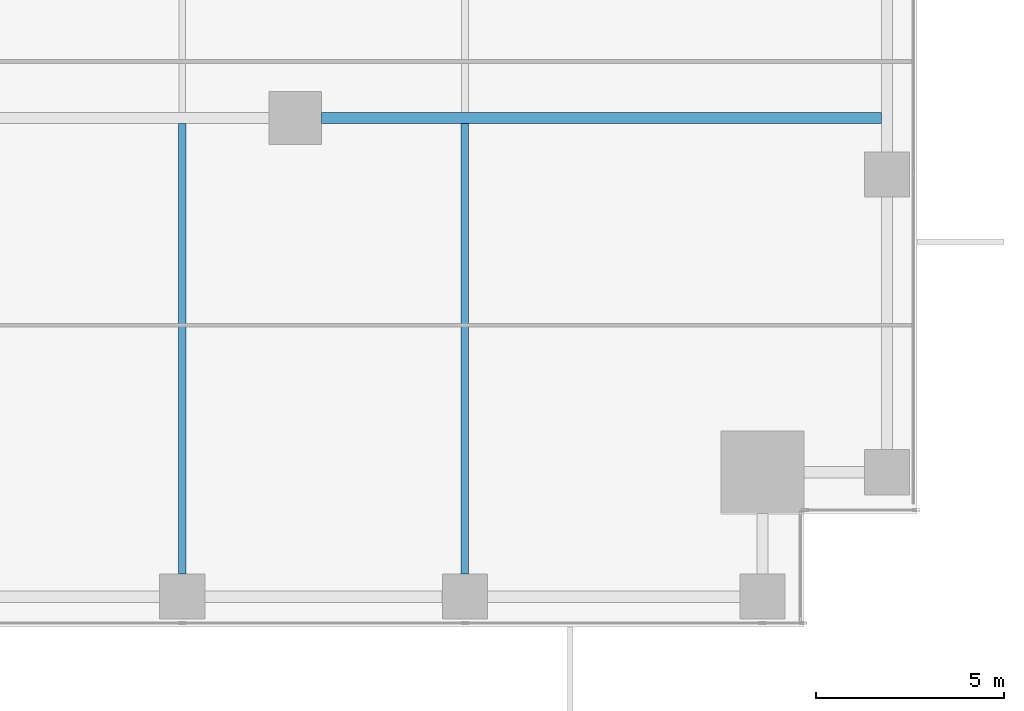
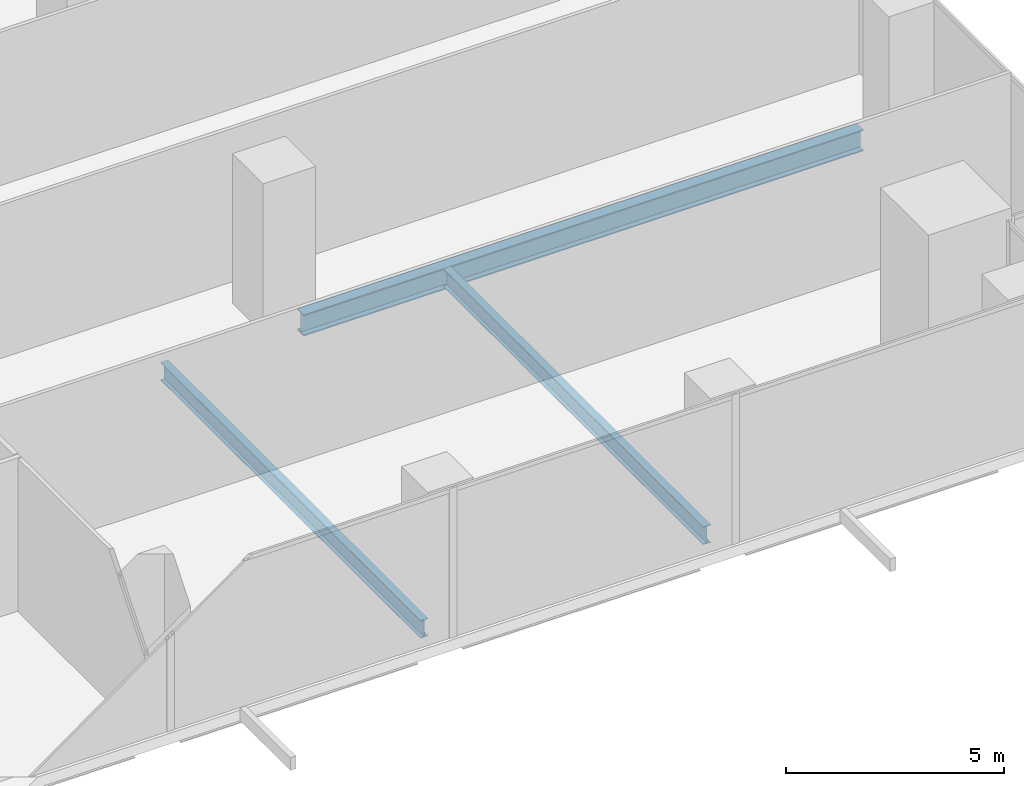
# One storey, part 8 of 32: 3 beams.
"""IFC4 building model written with IfcOpenShell, lengths in metres."""

from ifc_helpers import new_model, si_unit, direction, frame, origin, origin_2d, place, context, subcontext, project, spatial, i_section, extrude, source, transform, mapped, material, material_profile, profile_set, type_object, element, save


model = new_model("IFC4")

# Units and contexts
model_context = context("Model", 3, precision=1e-05, world=origin(), true_north=direction((0.0, 1.0)))
body_context = subcontext(model_context, "Body", "Model", "MODEL_VIEW")
ifc_project = project(units=[si_unit("LENGTHUNIT", "METRE"), si_unit("AREAUNIT", "SQUARE_METRE"), si_unit("VOLUMEUNIT", "CUBIC_METRE"), si_unit("PLANEANGLEUNIT", "RADIAN"), si_unit("MASSUNIT", "GRAM", prefix="KILO")], contexts=[model_context])

# Site, building, storey
site_placement = place(None, origin())
site = spatial("IfcSite", under=ifc_project, at=site_placement, CompositionType="ELEMENT")
building_placement = place(site_placement, origin())
building = spatial("IfcBuilding", under=site, at=building_placement, Name="Khomas Fold Tower", CompositionType="ELEMENT")
storey_placement = place(building_placement, frame((0.0, 0.0, 64.5)))
storey = spatial("IfcBuildingStorey", under=building, at=storey_placement, Name="L13", CompositionType="ELEMENT", Elevation=64.5)

# Beams
ifc_material_1 = material(Name="Steel S355", Category="steel")
ifc_material_profile_1 = material_profile(ifc_material_1, i_section(OverallWidth=0.300048828125, OverallDepth=0.60009765625, WebThickness=0.015380859375, FlangeThickness=0.030029296875, at=origin_2d()), Name="HE 600 B")
ifc_profile_set_1 = profile_set([ifc_material_profile_1], Name="Steel S355")
beam_type_1 = type_object("IfcBeamType", Name="HE 600 B beam GB5", PredefinedType="BEAM", material=ifc_profile_set_1)
shared_shape_1 = source(origin(), body_context, "Body", "SweptSolid", [
    extrude(i_section(OverallWidth=0.300048828125, OverallDepth=0.60009765625, WebThickness=0.015380859375, FlangeThickness=0.030029296875, at=origin_2d()), origin(), (0.0, 0.0, 1.0), 14.85009765625),
])
beam_placement = place(storey_placement, frame((38.199951171875, 13.5, -0.60009765625), z_axis=(1.0, 0.0, 0.0), x_axis=(0.0, 1.0, 0.0)))
element("IfcBeam", 1, at=beam_placement, inside=storey, type_object=beam_type_1, Name="GB5", PredefinedType="BEAM", context=body_context, shape_type="MappedRepresentation", body=[
    mapped(shared_shape_1, transform((0.0, 0.0, 0.0))),
])
ifc_material_2 = material(Name="Steel S355", Category="steel")
ifc_material_profile_2 = material_profile(ifc_material_2, i_section(OverallWidth=0.199951171875, OverallDepth=0.5, WebThickness=0.01025390625, FlangeThickness=0.01611328125, at=origin_2d()), Name="IPE 500")
ifc_profile_set_2 = profile_set([ifc_material_profile_2], Name="Steel S355")
beam_type_2 = type_object("IfcBeamType", Name="IPE 500 beam JB5", PredefinedType="BEAM", material=ifc_profile_set_2)
shared_shape_2 = source(origin(), body_context, "Body", "SweptSolid", [
    extrude(i_section(OverallWidth=0.199951171875, OverallDepth=0.5, WebThickness=0.01025390625, FlangeThickness=0.01611328125, at=origin_2d()), origin(), (0.0, 0.0, 1.0), 11.9501953125),
])
for number, where, z_axis, x_axis, name in (
    (2, (34.5, 1.39990234375, -0.550048828125), (0.0, 1.0, 0.0), (-1.0, 0.0, 0.0), "JB5"),
    (3, (42.0, 1.39990234375, -0.550048828125), (0.0, 1.0, 0.0), (-1.0, 0.0, 0.0), "JB5"),
):
    element("IfcBeam", number, at=place(storey_placement, frame(where, z_axis=z_axis, x_axis=x_axis)), inside=storey, type_object=beam_type_2, Name=name, PredefinedType="BEAM", context=body_context, shape_type="MappedRepresentation", body=[
        mapped(shared_shape_2, transform((0.0, 0.0, 0.0))),
    ])

save(model, "model.ifc")
